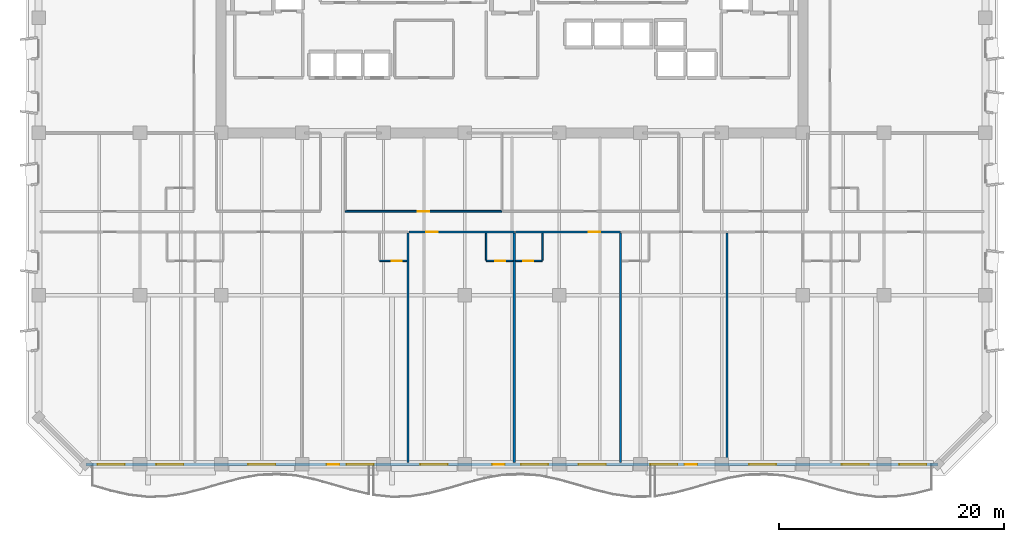
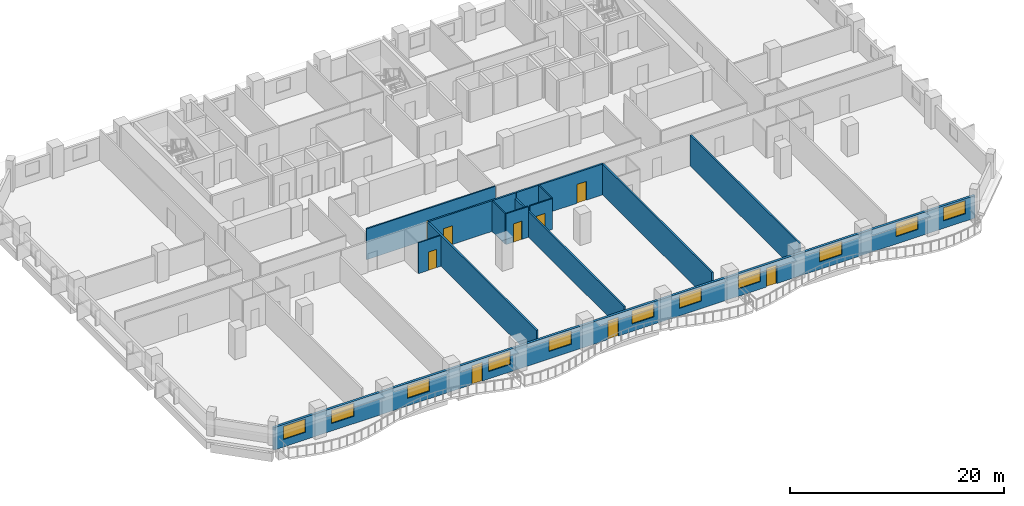
# One storey, part 5 of 14: 13 walls, 11 windows, 9 doors, 20 openings.
"""IFC4 building model written with IfcOpenShell, lengths in metres."""

from ifc_helpers import new_model, si_unit, direction, frame, frame_2d, origin, place, context, subcontext, project, spatial, rectangle, extrude, material, layer, layer_set, type_object, element, fill, save


model = new_model("IFC4")

# Units and contexts
model_context = context("Model", 3, precision=1e-05, world=origin(), true_north=direction((0.0, 1.0)))
body_context = subcontext(model_context, "Body", "Model", "MODEL_VIEW")
ifc_project = project(units=[si_unit("LENGTHUNIT", "METRE"), si_unit("AREAUNIT", "SQUARE_METRE"), si_unit("VOLUMEUNIT", "CUBIC_METRE"), si_unit("PLANEANGLEUNIT", "RADIAN"), si_unit("MASSUNIT", "GRAM", prefix="KILO")], contexts=[model_context])

# Site, building, storey
site_placement = place(None, origin())
site = spatial("IfcSite", under=ifc_project, at=site_placement, CompositionType="ELEMENT")
building_placement = place(site_placement, origin())
building = spatial("IfcBuilding", under=site, at=building_placement, Name="Kaelvorn Grand Hotel", CompositionType="ELEMENT")
storey_placement = place(building_placement, frame((0.0, 0.0, 89.300048828125)))
storey = spatial("IfcBuildingStorey", under=building, at=storey_placement, Name="L20", CompositionType="ELEMENT", Elevation=89.300048828125)

# Wall, openings, doors, windows
ifc_material_1 = material(Name="Concrete C40/50", Category="concrete")
ifc_layer_1 = layer(ifc_material_1, 0.260009765625)
ifc_layer_set_1 = layer_set([ifc_layer_1], Name="Concrete C40/50")
wall_type_1 = type_object("IfcWallType", Name="WL-EXT-260-C40", PredefinedType="SOLIDWALL", material=ifc_layer_set_1)
wall_1_placement = place(storey_placement, frame((4.199951171875, 0.0, 0.0), z_axis=(0.0, 0.0, 1.0), x_axis=(1.0, 0.0, 0.0)))
wall_1 = element("IfcWall", 1, at=wall_1_placement, inside=storey, type_object=wall_type_1, Name="L20 Exterior Architectural Concrete Wall 01", PredefinedType="SOLIDWALL", context=body_context, shape_type="SweptSolid", body=[
    extrude(rectangle(XDim=75.60009765625, YDim=0.260009765625, at=frame_2d((37.800048828125, 0.0))), origin(), (0.0, 0.0, 1.0), 2.56005859375),
])
opening_1_placement = place(wall_1_placement, frame((21.38330078125, 0.0, 0.0)))
opening_1 = element("IfcOpeningElement", 2, at=opening_1_placement, cuts=wall_1, Name="Opening DE2", PredefinedType="OPENING", context=body_context, shape_type="SweptSolid", body=[
    extrude(rectangle(XDim=1.10009765625, YDim=2.14990234375, at=frame_2d((0.550048828125, 1.074951171875))), frame((0.0, 0.14013671875, 0.0), z_axis=(0.0, -1.0, 0.0), x_axis=(1.0, 0.0, 0.0)), (0.0, 0.0, 1.0), 0.280029296875),
])
opening_2_placement = place(wall_1_placement, frame((36.050048828125, 0.0, 0.0)))
opening_2 = element("IfcOpeningElement", 3, at=opening_2_placement, cuts=wall_1, Name="Opening DE2", PredefinedType="OPENING", context=body_context, shape_type="SweptSolid", body=[
    extrude(rectangle(XDim=1.10009765625, YDim=2.14990234375, at=frame_2d((0.550048828125, 1.074951171875))), frame((0.0, 0.14013671875, 0.0), z_axis=(0.0, -1.0, 0.0), x_axis=(1.0, 0.0, 0.0)), (0.0, 0.0, 1.0), 0.280029296875),
])
opening_3_placement = place(wall_1_placement, frame((53.11669921875, 0.0, 0.0)))
opening_3 = element("IfcOpeningElement", 4, at=opening_3_placement, cuts=wall_1, Name="Opening DE2", PredefinedType="OPENING", context=body_context, shape_type="SweptSolid", body=[
    extrude(rectangle(XDim=1.10009765625, YDim=2.14990234375, at=frame_2d((0.550048828125, 1.074951171875))), frame((0.0, 0.14013671875, 0.0), z_axis=(0.0, -1.0, 0.0), x_axis=(1.0, 0.0, 0.0)), (0.0, 0.0, 1.0), 0.280029296875),
])
opening_4_placement = place(wall_1_placement, frame((1.034912109375, 0.0, 0.85009765625)))
opening_4 = element("IfcOpeningElement", 5, at=opening_4_placement, cuts=wall_1, Name="Opening W6", PredefinedType="OPENING", context=body_context, shape_type="SweptSolid", body=[
    extrude(rectangle(XDim=2.39990234375, YDim=1.5, at=frame_2d((1.199951171875, 0.75))), frame((0.0, 0.14013671875, 0.0), z_axis=(0.0, -1.0, 0.0), x_axis=(1.0, 0.0, 0.0)), (0.0, 0.0, 1.0), 0.280029296875),
])
opening_5_placement = place(wall_1_placement, frame((6.243896484375, 0.0, 0.85009765625)))
opening_5 = element("IfcOpeningElement", 6, at=opening_5_placement, cuts=wall_1, Name="Opening W6", PredefinedType="OPENING", context=body_context, shape_type="SweptSolid", body=[
    extrude(rectangle(XDim=2.39990234375, YDim=1.5, at=frame_2d((1.199951171875, 0.75))), frame((0.0, 0.14013671875, 0.0), z_axis=(0.0, -1.0, 0.0), x_axis=(1.0, 0.0, 0.0)), (0.0, 0.0, 1.0), 0.280029296875),
])
opening_6_placement = place(wall_1_placement, frame((14.39990234375, 0.0, 0.85009765625)))
opening_6 = element("IfcOpeningElement", 7, at=opening_6_placement, cuts=wall_1, Name="Opening W6", PredefinedType="OPENING", context=body_context, shape_type="SweptSolid", body=[
    extrude(rectangle(XDim=2.39990234375, YDim=1.5, at=frame_2d((1.199951171875, 0.75))), frame((0.0, 0.14013671875, 0.0), z_axis=(0.0, -1.0, 0.0), x_axis=(1.0, 0.0, 0.0)), (0.0, 0.0, 1.0), 0.280029296875),
])
opening_7_placement = place(wall_1_placement, frame((23.126708984375, 0.0, 0.85009765625)))
opening_7 = element("IfcOpeningElement", 8, at=opening_7_placement, cuts=wall_1, Name="Opening W6", PredefinedType="OPENING", context=body_context, shape_type="SweptSolid", body=[
    extrude(rectangle(XDim=2.39990234375, YDim=1.5, at=frame_2d((1.199951171875, 0.75))), frame((0.0, 0.14013671875, 0.0), z_axis=(0.0, -1.0, 0.0), x_axis=(1.0, 0.0, 0.0)), (0.0, 0.0, 1.0), 0.280029296875),
])
opening_8_placement = place(wall_1_placement, frame((29.681396484375, 0.0, 0.85009765625)))
opening_8 = element("IfcOpeningElement", 9, at=opening_8_placement, cuts=wall_1, Name="Opening W6", PredefinedType="OPENING", context=body_context, shape_type="SweptSolid", body=[
    extrude(rectangle(XDim=2.39990234375, YDim=1.5, at=frame_2d((1.199951171875, 0.75))), frame((0.0, 0.14013671875, 0.0), z_axis=(0.0, -1.0, 0.0), x_axis=(1.0, 0.0, 0.0)), (0.0, 0.0, 1.0), 0.280029296875),
])
opening_9_placement = place(wall_1_placement, frame((38.6005859375, 0.0, 0.85009765625)))
opening_9 = element("IfcOpeningElement", 10, at=opening_9_placement, cuts=wall_1, Name="Opening W6", PredefinedType="OPENING", context=body_context, shape_type="SweptSolid", body=[
    extrude(rectangle(XDim=2.39990234375, YDim=1.5, at=frame_2d((1.199951171875, 0.75))), frame((0.0, 0.14013671875, 0.0), z_axis=(0.0, -1.0, 0.0), x_axis=(1.0, 0.0, 0.0)), (0.0, 0.0, 1.0), 0.280029296875),
])
opening_10_placement = place(wall_1_placement, frame((43.719482421875, 0.0, 0.85009765625)))
opening_10 = element("IfcOpeningElement", 11, at=opening_10_placement, cuts=wall_1, Name="Opening W6", PredefinedType="OPENING", context=body_context, shape_type="SweptSolid", body=[
    extrude(rectangle(XDim=2.39990234375, YDim=1.5, at=frame_2d((1.199951171875, 0.75))), frame((0.0, 0.14013671875, 0.0), z_axis=(0.0, -1.0, 0.0), x_axis=(1.0, 0.0, 0.0)), (0.0, 0.0, 1.0), 0.280029296875),
])
opening_11_placement = place(wall_1_placement, frame((50.0732421875, 0.0, 0.85009765625)))
opening_11 = element("IfcOpeningElement", 12, at=opening_11_placement, cuts=wall_1, Name="Opening W6", PredefinedType="OPENING", context=body_context, shape_type="SweptSolid", body=[
    extrude(rectangle(XDim=2.39990234375, YDim=1.5, at=frame_2d((1.199951171875, 0.75))), frame((0.0, 0.14013671875, 0.0), z_axis=(0.0, -1.0, 0.0), x_axis=(1.0, 0.0, 0.0)), (0.0, 0.0, 1.0), 0.280029296875),
])
opening_12_placement = place(wall_1_placement, frame((58.837890625, 0.0, 0.85009765625)))
opening_12 = element("IfcOpeningElement", 13, at=opening_12_placement, cuts=wall_1, Name="Opening W6", PredefinedType="OPENING", context=body_context, shape_type="SweptSolid", body=[
    extrude(rectangle(XDim=2.39990234375, YDim=1.5, at=frame_2d((1.199951171875, 0.75))), frame((0.0, 0.14013671875, 0.0), z_axis=(0.0, -1.0, 0.0), x_axis=(1.0, 0.0, 0.0)), (0.0, 0.0, 1.0), 0.280029296875),
])
opening_13_placement = place(wall_1_placement, frame((67.056396484375, 0.0, 0.85009765625)))
opening_13 = element("IfcOpeningElement", 14, at=opening_13_placement, cuts=wall_1, Name="Opening W6", PredefinedType="OPENING", context=body_context, shape_type="SweptSolid", body=[
    extrude(rectangle(XDim=2.39990234375, YDim=1.5, at=frame_2d((1.199951171875, 0.75))), frame((0.0, 0.14013671875, 0.0), z_axis=(0.0, -1.0, 0.0), x_axis=(1.0, 0.0, 0.0)), (0.0, 0.0, 1.0), 0.280029296875),
])
opening_14_placement = place(wall_1_placement, frame((72.1650390625, 0.0, 0.85009765625)))
opening_14 = element("IfcOpeningElement", 15, at=opening_14_placement, cuts=wall_1, Name="Opening W6", PredefinedType="OPENING", context=body_context, shape_type="SweptSolid", body=[
    extrude(rectangle(XDim=2.39990234375, YDim=1.5, at=frame_2d((1.199951171875, 0.75))), frame((0.0, 0.14013671875, 0.0), z_axis=(0.0, -1.0, 0.0), x_axis=(1.0, 0.0, 0.0)), (0.0, 0.0, 1.0), 0.280029296875),
])
ifc_material_2 = material(Name="Anodised Aluminium", Category="aluminium")
door_type_1 = type_object("IfcDoorType", Name="DR-EXT-BALC-1100x2150", OperationType="NOTDEFINED", PredefinedType="DOOR", material=ifc_material_2)
door_1_placement = place(opening_1_placement, origin())
door_1 = element("IfcDoor", 16, at=door_1_placement, inside=storey, type_object=door_type_1, Name="L20 Scalloped Balcony Glazed Door DE2-1", OperationType="SINGLE_SWING_RIGHT", OverallHeight=2.14990234375, OverallWidth=1.10009765625, PredefinedType="DOOR", context=body_context, shape_type="SweptSolid", body=[
    extrude(rectangle(XDim=1.10009765625, YDim=2.14990234375, at=frame_2d((0.550048828125, 1.074951171875))), frame((0.0, 0.02490234375, 0.0), z_axis=(0.0, -1.0, 0.0), x_axis=(1.0, 0.0, 0.0)), (0.0, 0.0, 1.0), 0.050048828125),
])
fill(opening_1, door_1)
door_2_placement = place(opening_2_placement, origin())
door_2 = element("IfcDoor", 17, at=door_2_placement, inside=storey, type_object=door_type_1, Name="L20 Scalloped Balcony Glazed Door DE2-2", OperationType="SINGLE_SWING_LEFT", OverallHeight=2.14990234375, OverallWidth=1.10009765625, PredefinedType="DOOR", context=body_context, shape_type="SweptSolid", body=[
    extrude(rectangle(XDim=1.10009765625, YDim=2.14990234375, at=frame_2d((0.550048828125, 1.074951171875))), frame((0.0, 0.02490234375, 0.0), z_axis=(0.0, -1.0, 0.0), x_axis=(1.0, 0.0, 0.0)), (0.0, 0.0, 1.0), 0.050048828125),
])
fill(opening_2, door_2)
door_3_placement = place(opening_3_placement, origin())
door_3 = element("IfcDoor", 18, at=door_3_placement, inside=storey, type_object=door_type_1, Name="L20 Scalloped Balcony Glazed Door DE2-3", OperationType="SINGLE_SWING_RIGHT", OverallHeight=2.14990234375, OverallWidth=1.10009765625, PredefinedType="DOOR", context=body_context, shape_type="SweptSolid", body=[
    extrude(rectangle(XDim=1.10009765625, YDim=2.14990234375, at=frame_2d((0.550048828125, 1.074951171875))), frame((0.0, 0.02490234375, 0.0), z_axis=(0.0, -1.0, 0.0), x_axis=(1.0, 0.0, 0.0)), (0.0, 0.0, 1.0), 0.050048828125),
])
fill(opening_3, door_3)
ifc_material_3 = material(Name="Laminated Low-E Glass", Category="glass")
window_type = type_object("IfcWindowType", Name="WIN-NTH-2400x1500", PartitioningType="SINGLE_PANEL", PredefinedType="WINDOW", material=ifc_material_3)
window_1_placement = place(opening_4_placement, origin())
window_1 = element("IfcWindow", 19, at=window_1_placement, inside=storey, type_object=window_type, Name="L20 South Guestroom Ribbon Window SR01", OverallHeight=1.5, OverallWidth=2.39990234375, PartitioningType="SINGLE_PANEL", PredefinedType="WINDOW", context=body_context, shape_type="SweptSolid", body=[
    extrude(rectangle(XDim=2.39990234375, YDim=1.5, at=frame_2d((1.199951171875, 0.75))), frame((0.0, 0.030029296875, 0.0), z_axis=(0.0, -1.0, 0.0), x_axis=(1.0, 0.0, 0.0)), (0.0, 0.0, 1.0), 0.06005859375),
])
fill(opening_4, window_1)
window_2_placement = place(opening_5_placement, origin())
window_2 = element("IfcWindow", 20, at=window_2_placement, inside=storey, type_object=window_type, Name="L20 South Guestroom Ribbon Window SR02", OverallHeight=1.5, OverallWidth=2.39990234375, PartitioningType="SINGLE_PANEL", PredefinedType="WINDOW", context=body_context, shape_type="SweptSolid", body=[
    extrude(rectangle(XDim=2.39990234375, YDim=1.5, at=frame_2d((1.199951171875, 0.75))), frame((0.0, 0.030029296875, 0.0), z_axis=(0.0, -1.0, 0.0), x_axis=(1.0, 0.0, 0.0)), (0.0, 0.0, 1.0), 0.06005859375),
])
fill(opening_5, window_2)
window_3_placement = place(opening_6_placement, origin())
window_3 = element("IfcWindow", 21, at=window_3_placement, inside=storey, type_object=window_type, Name="L20 South Guestroom Ribbon Window SR03", OverallHeight=1.5, OverallWidth=2.39990234375, PartitioningType="SINGLE_PANEL", PredefinedType="WINDOW", context=body_context, shape_type="SweptSolid", body=[
    extrude(rectangle(XDim=2.39990234375, YDim=1.5, at=frame_2d((1.199951171875, 0.75))), frame((0.0, 0.030029296875, 0.0), z_axis=(0.0, -1.0, 0.0), x_axis=(1.0, 0.0, 0.0)), (0.0, 0.0, 1.0), 0.06005859375),
])
fill(opening_6, window_3)
window_4_placement = place(opening_7_placement, origin())
window_4 = element("IfcWindow", 22, at=window_4_placement, inside=storey, type_object=window_type, Name="L20 South Guestroom Ribbon Window SR04", OverallHeight=1.5, OverallWidth=2.39990234375, PartitioningType="SINGLE_PANEL", PredefinedType="WINDOW", context=body_context, shape_type="SweptSolid", body=[
    extrude(rectangle(XDim=2.39990234375, YDim=1.5, at=frame_2d((1.199951171875, 0.75))), frame((0.0, 0.030029296875, 0.0), z_axis=(0.0, -1.0, 0.0), x_axis=(1.0, 0.0, 0.0)), (0.0, 0.0, 1.0), 0.06005859375),
])
fill(opening_7, window_4)
window_5_placement = place(opening_8_placement, origin())
window_5 = element("IfcWindow", 23, at=window_5_placement, inside=storey, type_object=window_type, Name="L20 South Guestroom Ribbon Window SR05", OverallHeight=1.5, OverallWidth=2.39990234375, PartitioningType="SINGLE_PANEL", PredefinedType="WINDOW", context=body_context, shape_type="SweptSolid", body=[
    extrude(rectangle(XDim=2.39990234375, YDim=1.5, at=frame_2d((1.199951171875, 0.75))), frame((0.0, 0.030029296875, 0.0), z_axis=(0.0, -1.0, 0.0), x_axis=(1.0, 0.0, 0.0)), (0.0, 0.0, 1.0), 0.06005859375),
])
fill(opening_8, window_5)
window_6_placement = place(opening_9_placement, origin())
window_6 = element("IfcWindow", 24, at=window_6_placement, inside=storey, type_object=window_type, Name="L20 South Guestroom Ribbon Window SR06", OverallHeight=1.5, OverallWidth=2.39990234375, PartitioningType="SINGLE_PANEL", PredefinedType="WINDOW", context=body_context, shape_type="SweptSolid", body=[
    extrude(rectangle(XDim=2.39990234375, YDim=1.5, at=frame_2d((1.199951171875, 0.75))), frame((0.0, 0.030029296875, 0.0), z_axis=(0.0, -1.0, 0.0), x_axis=(1.0, 0.0, 0.0)), (0.0, 0.0, 1.0), 0.06005859375),
])
fill(opening_9, window_6)
window_7_placement = place(opening_10_placement, origin())
window_7 = element("IfcWindow", 25, at=window_7_placement, inside=storey, type_object=window_type, Name="L20 South Guestroom Ribbon Window SR07", OverallHeight=1.5, OverallWidth=2.39990234375, PartitioningType="SINGLE_PANEL", PredefinedType="WINDOW", context=body_context, shape_type="SweptSolid", body=[
    extrude(rectangle(XDim=2.39990234375, YDim=1.5, at=frame_2d((1.199951171875, 0.75))), frame((0.0, 0.030029296875, 0.0), z_axis=(0.0, -1.0, 0.0), x_axis=(1.0, 0.0, 0.0)), (0.0, 0.0, 1.0), 0.06005859375),
])
fill(opening_10, window_7)
window_8_placement = place(opening_11_placement, origin())
window_8 = element("IfcWindow", 26, at=window_8_placement, inside=storey, type_object=window_type, Name="L20 South Guestroom Ribbon Window SR08", OverallHeight=1.5, OverallWidth=2.39990234375, PartitioningType="SINGLE_PANEL", PredefinedType="WINDOW", context=body_context, shape_type="SweptSolid", body=[
    extrude(rectangle(XDim=2.39990234375, YDim=1.5, at=frame_2d((1.199951171875, 0.75))), frame((0.0, 0.030029296875, 0.0), z_axis=(0.0, -1.0, 0.0), x_axis=(1.0, 0.0, 0.0)), (0.0, 0.0, 1.0), 0.06005859375),
])
fill(opening_11, window_8)
window_9_placement = place(opening_12_placement, origin())
window_9 = element("IfcWindow", 27, at=window_9_placement, inside=storey, type_object=window_type, Name="L20 South Guestroom Ribbon Window SR09", OverallHeight=1.5, OverallWidth=2.39990234375, PartitioningType="SINGLE_PANEL", PredefinedType="WINDOW", context=body_context, shape_type="SweptSolid", body=[
    extrude(rectangle(XDim=2.39990234375, YDim=1.5, at=frame_2d((1.199951171875, 0.75))), frame((0.0, 0.030029296875, 0.0), z_axis=(0.0, -1.0, 0.0), x_axis=(1.0, 0.0, 0.0)), (0.0, 0.0, 1.0), 0.06005859375),
])
fill(opening_12, window_9)
window_10_placement = place(opening_13_placement, origin())
window_10 = element("IfcWindow", 28, at=window_10_placement, inside=storey, type_object=window_type, Name="L20 South Guestroom Ribbon Window SR10", OverallHeight=1.5, OverallWidth=2.39990234375, PartitioningType="SINGLE_PANEL", PredefinedType="WINDOW", context=body_context, shape_type="SweptSolid", body=[
    extrude(rectangle(XDim=2.39990234375, YDim=1.5, at=frame_2d((1.199951171875, 0.75))), frame((0.0, 0.030029296875, 0.0), z_axis=(0.0, -1.0, 0.0), x_axis=(1.0, 0.0, 0.0)), (0.0, 0.0, 1.0), 0.06005859375),
])
fill(opening_13, window_10)
window_11_placement = place(opening_14_placement, origin())
window_11 = element("IfcWindow", 29, at=window_11_placement, inside=storey, type_object=window_type, Name="L20 South Guestroom Ribbon Window SR11", OverallHeight=1.5, OverallWidth=2.39990234375, PartitioningType="SINGLE_PANEL", PredefinedType="WINDOW", context=body_context, shape_type="SweptSolid", body=[
    extrude(rectangle(XDim=2.39990234375, YDim=1.5, at=frame_2d((1.199951171875, 0.75))), frame((0.0, 0.030029296875, 0.0), z_axis=(0.0, -1.0, 0.0), x_axis=(1.0, 0.0, 0.0)), (0.0, 0.0, 1.0), 0.06005859375),
])
fill(opening_14, window_11)

# Wall, opening, door
ifc_material_4 = material(Name="Moisture-Resistant Tile & Stud Board")
ifc_layer_2 = layer(ifc_material_4, 0.125)
ifc_layer_set_2 = layer_set([ifc_layer_2], Name="Moisture-Resistant Tile & Stud Board")
wall_type_2 = type_object("IfcWallType", Name="WL-PART-125-WET", PredefinedType="PARTITIONING", material=ifc_layer_set_2)
wall_2_placement = place(storey_placement, frame((30.26318359375, 18.050048828125, 0.0), z_axis=(0.0, 0.0, 1.0), x_axis=(1.0, 0.0, 0.0)))
wall_2 = element("IfcWall", 30, at=wall_2_placement, inside=storey, type_object=wall_type_2, Name="L20 En-suite Bathroom L20-03 S Partition", PredefinedType="PARTITIONING", context=body_context, shape_type="SweptSolid", body=[
    extrude(rectangle(XDim=2.405029296875, YDim=0.125, at=frame_2d((1.20263671875, 0.0))), origin(), (0.0, 0.0, 1.0), 3.510009765625),
])
opening_15_placement = place(wall_2_placement, frame((1.050048828125, 0.0, 0.0)))
opening_15 = element("IfcOpeningElement", 31, at=opening_15_placement, cuts=wall_2, Name="Opening DI4", PredefinedType="OPENING", context=body_context, shape_type="SweptSolid", body=[
    extrude(rectangle(XDim=0.89990234375, YDim=2.10009765625, at=frame_2d((0.449951171875, 1.050048828125))), frame((0.0, 0.072509765625, 0.0), z_axis=(0.0, -1.0, 0.0), x_axis=(1.0, 0.0, 0.0)), (0.0, 0.0, 1.0), 0.14501953125),
])
ifc_material_5 = material(Name="Timber Veneer Leaf", Category="wood")
door_type_2 = type_object("IfcDoorType", Name="DR-INT-BATH-900x2100", OperationType="NOTDEFINED", PredefinedType="DOOR", material=ifc_material_5)
door_4_placement = place(opening_15_placement, origin())
door_4 = element("IfcDoor", 32, at=door_4_placement, inside=storey, type_object=door_type_2, Name="L20 En-suite Bathroom L20-03 Door", OperationType="SINGLE_SWING_RIGHT", OverallHeight=2.10009765625, OverallWidth=0.89990234375, PredefinedType="DOOR", context=body_context, shape_type="SweptSolid", body=[
    extrude(rectangle(XDim=0.89990234375, YDim=2.10009765625, at=frame_2d((0.449951171875, 1.050048828125))), frame((0.0, 0.02490234375, 0.0), z_axis=(0.0, -1.0, 0.0), x_axis=(1.0, 0.0, 0.0)), (0.0, 0.0, 1.0), 0.050048828125),
])
fill(opening_15, door_4)

wall_3_placement = place(storey_placement, frame((39.70068359375, 18.050048828125, 0.0), z_axis=(0.0, 0.0, 1.0), x_axis=(1.0, 0.0, 0.0)))
wall_3 = element("IfcWall", 33, at=wall_3_placement, inside=storey, type_object=wall_type_2, Name="L20 En-suite Bathroom L20-04 S Partition", PredefinedType="PARTITIONING", context=body_context, shape_type="SweptSolid", body=[
    extrude(rectangle(XDim=2.405029296875, YDim=0.125, at=frame_2d((1.20263671875, 0.0))), origin(), (0.0, 0.0, 1.0), 3.510009765625),
])
opening_16_placement = place(wall_3_placement, frame((0.800048828125, 0.0, 0.0)))
opening_16 = element("IfcOpeningElement", 34, at=opening_16_placement, cuts=wall_3, Name="Opening DI4", PredefinedType="OPENING", context=body_context, shape_type="SweptSolid", body=[
    extrude(rectangle(XDim=0.89990234375, YDim=2.10009765625, at=frame_2d((0.449951171875, 1.050048828125))), frame((0.0, 0.072509765625, 0.0), z_axis=(0.0, -1.0, 0.0), x_axis=(1.0, 0.0, 0.0)), (0.0, 0.0, 1.0), 0.14501953125),
])
door_5_placement = place(opening_16_placement, origin())
door_5 = element("IfcDoor", 35, at=door_5_placement, inside=storey, type_object=door_type_2, Name="L20 En-suite Bathroom L20-04 Door", OperationType="SINGLE_SWING_RIGHT", OverallHeight=2.10009765625, OverallWidth=0.89990234375, PredefinedType="DOOR", context=body_context, shape_type="SweptSolid", body=[
    extrude(rectangle(XDim=0.89990234375, YDim=2.10009765625, at=frame_2d((0.449951171875, 1.050048828125))), frame((0.0, 0.02490234375, 0.0), z_axis=(0.0, -1.0, 0.0), x_axis=(1.0, 0.0, 0.0)), (0.0, 0.0, 1.0), 0.050048828125),
])
fill(opening_16, door_5)

# Wall
wall_4_placement = place(storey_placement, frame((39.70068359375, 18.117431640625, 0.0), z_axis=(0.0, 0.0, 1.0), x_axis=(0.0, 1.0, 0.0)))
element("IfcWall", 36, at=wall_4_placement, inside=storey, type_object=wall_type_2, Name="L20 En-suite Bathroom L20-04 W Partition", PredefinedType="PARTITIONING", context=body_context, shape_type="SweptSolid", body=[
    extrude(rectangle(XDim=2.387451171875, YDim=0.125, at=frame_2d((1.19384765625, 0.0))), origin(), (0.0, 0.0, 1.0), 3.510009765625),
])

# Wall, opening, door
wall_5_placement = place(storey_placement, frame((42.2958984375, 18.050048828125, 0.0), z_axis=(0.0, 0.0, 1.0), x_axis=(1.0, 0.0, 0.0)))
wall_5 = element("IfcWall", 37, at=wall_5_placement, inside=storey, type_object=wall_type_2, Name="L20 En-suite Bathroom L20-05 S Partition", PredefinedType="PARTITIONING", context=body_context, shape_type="SweptSolid", body=[
    extrude(rectangle(XDim=2.40478515625, YDim=0.125, at=frame_2d((1.202392578125, 0.0))), origin(), (0.0, 0.0, 1.0), 3.510009765625),
])
opening_17_placement = place(wall_5_placement, frame((0.705078125, 0.0, 0.0)))
opening_17 = element("IfcOpeningElement", 38, at=opening_17_placement, cuts=wall_5, Name="Opening DI4", PredefinedType="OPENING", context=body_context, shape_type="SweptSolid", body=[
    extrude(rectangle(XDim=0.89990234375, YDim=2.10009765625, at=frame_2d((0.449951171875, 1.050048828125))), frame((0.0, 0.072509765625, 0.0), z_axis=(0.0, -1.0, 0.0), x_axis=(1.0, 0.0, 0.0)), (0.0, 0.0, 1.0), 0.14501953125),
])
door_6_placement = place(opening_17_placement, origin())
door_6 = element("IfcDoor", 39, at=door_6_placement, inside=storey, type_object=door_type_2, Name="L20 En-suite Bathroom L20-05 Door", OperationType="SINGLE_SWING_RIGHT", OverallHeight=2.10009765625, OverallWidth=0.89990234375, PredefinedType="DOOR", context=body_context, shape_type="SweptSolid", body=[
    extrude(rectangle(XDim=0.89990234375, YDim=2.10009765625, at=frame_2d((0.449951171875, 1.050048828125))), frame((0.0, 0.02490234375, 0.0), z_axis=(0.0, -1.0, 0.0), x_axis=(1.0, 0.0, 0.0)), (0.0, 0.0, 1.0), 0.050048828125),
])
fill(opening_17, door_6)

# Wall
wall_6_placement = place(storey_placement, frame((44.70068359375, 18.117431640625, 0.0), z_axis=(0.0, 0.0, 1.0), x_axis=(0.0, 1.0, 0.0)))
element("IfcWall", 40, at=wall_6_placement, inside=storey, type_object=wall_type_2, Name="L20 En-suite Bathroom L20-05 E Partition", PredefinedType="PARTITIONING", context=body_context, shape_type="SweptSolid", body=[
    extrude(rectangle(XDim=2.387451171875, YDim=0.125, at=frame_2d((1.19384765625, 0.0))), origin(), (0.0, 0.0, 1.0), 3.510009765625),
])

# Wall, opening, door
ifc_material_6 = material(Name="Acoustic Gypsum & Stud Partition")
ifc_layer_3 = layer(ifc_material_6, 0.14990234375)
ifc_layer_set_3 = layer_set([ifc_layer_3], Name="Acoustic Gypsum & Stud Partition")
wall_type_3 = type_object("IfcWallType", Name="WL-PART-150-EI60", PredefinedType="PARTITIONING", material=ifc_layer_set_3)
wall_7_placement = place(storey_placement, frame((27.199951171875, 22.449951171875, 0.0), z_axis=(0.0, 0.0, 1.0), x_axis=(1.0, 0.0, 0.0)))
wall_7 = element("IfcWall", 41, at=wall_7_placement, inside=storey, type_object=wall_type_3, Name="L20 Pastry & Tea Kitchen S Partition", PredefinedType="PARTITIONING", context=body_context, shape_type="SweptSolid", body=[
    extrude(rectangle(XDim=13.900146484375, YDim=0.14990234375, at=frame_2d((6.9501953125, 0.0))), origin(), (0.0, 0.0, 1.0), 3.510009765625),
])
opening_18_placement = place(wall_7_placement, frame((6.449951171875, 0.0, 0.0)))
opening_18 = element("IfcOpeningElement", 42, at=opening_18_placement, cuts=wall_7, Name="Opening DI3", PredefinedType="OPENING", context=body_context, shape_type="SweptSolid", body=[
    extrude(rectangle(XDim=1.0, YDim=2.14990234375, at=frame_2d((0.5, 1.074951171875))), frame((0.0, 0.0849609375, 0.0), z_axis=(0.0, -1.0, 0.0), x_axis=(1.0, 0.0, 0.0)), (0.0, 0.0, 1.0), 0.169921875),
])
ifc_material_7 = material(Name="Timber Veneer Fire Leaf", Category="wood")
door_type_3 = type_object("IfcDoorType", Name="DR-INT-GUEST-1000x2150", OperationType="NOTDEFINED", PredefinedType="DOOR", material=ifc_material_7)
door_7_placement = place(opening_18_placement, origin())
door_7 = element("IfcDoor", 43, at=door_7_placement, inside=storey, type_object=door_type_3, Name="L20 Pastry & Tea Kitchen Door", OperationType="SINGLE_SWING_RIGHT", OverallHeight=2.14990234375, OverallWidth=1.0, PredefinedType="DOOR", context=body_context, shape_type="SweptSolid", body=[
    extrude(rectangle(XDim=1.0, YDim=2.14990234375, at=frame_2d((0.5, 1.074951171875))), frame((0.0, 0.02490234375, 0.0), z_axis=(0.0, -1.0, 0.0), x_axis=(1.0, 0.0, 0.0)), (0.0, 0.0, 1.0), 0.050048828125),
])
fill(opening_18, door_7)

# Wall
ifc_layer_4 = layer(ifc_material_6, 0.179931640625)
ifc_layer_set_4 = layer_set([ifc_layer_4], Name="Acoustic Gypsum & Stud Partition")
wall_type_4 = type_object("IfcWallType", Name="WL-PART-180-EI60", PredefinedType="PARTITIONING", material=ifc_layer_set_4)
wall_8_placement = place(storey_placement, frame((32.76318359375, 0.14990234375, 0.0), z_axis=(0.0, 0.0, 1.0), x_axis=(0.0, 1.0, 0.0)))
element("IfcWall", 44, at=wall_8_placement, inside=storey, type_object=wall_type_4, Name="L20 Deluxe Panoramic Suite L20-03 E Partition", PredefinedType="PARTITIONING", context=body_context, shape_type="SweptSolid", body=[
    extrude(rectangle(XDim=20.35498046875, YDim=0.179931640625, at=frame_2d((10.177490234375, 0.0))), origin(), (0.0, 0.0, 1.0), 3.510009765625),
])

# Wall, opening, door
wall_9_placement = place(storey_placement, frame((32.858154296875, 20.60009765625, 0.0), z_axis=(0.0, 0.0, 1.0), x_axis=(1.0, 0.0, 0.0)))
wall_9 = element("IfcWall", 45, at=wall_9_placement, inside=storey, type_object=wall_type_4, Name="L20 Deluxe Panoramic Suite L20-04 N Partition", PredefinedType="PARTITIONING", context=body_context, shape_type="SweptSolid", body=[
    extrude(rectangle(XDim=9.342529296875, YDim=0.179931640625, at=frame_2d((4.67138671875, 0.0))), origin(), (0.0, 0.0, 1.0), 3.510009765625),
])
opening_19_placement = place(wall_9_placement, frame((1.533447265625, 0.0, 0.0)))
opening_19 = element("IfcOpeningElement", 46, at=opening_19_placement, cuts=wall_9, Name="Opening DI3", PredefinedType="OPENING", context=body_context, shape_type="SweptSolid", body=[
    extrude(rectangle(XDim=1.0, YDim=2.14990234375, at=frame_2d((0.5, 1.074951171875))), frame((0.0, 0.10009765625, 0.0), z_axis=(0.0, -1.0, 0.0), x_axis=(1.0, 0.0, 0.0)), (0.0, 0.0, 1.0), 0.199951171875),
])
door_8_placement = place(opening_19_placement, origin())
door_8 = element("IfcDoor", 47, at=door_8_placement, inside=storey, type_object=door_type_3, Name="L20 Deluxe Panoramic Suite L20-04 Door", OperationType="SINGLE_SWING_LEFT", OverallHeight=2.14990234375, OverallWidth=1.0, PredefinedType="DOOR", context=body_context, shape_type="SweptSolid", body=[
    extrude(rectangle(XDim=1.0, YDim=2.14990234375, at=frame_2d((0.5, 1.074951171875))), frame((0.0, 0.02490234375, 0.0), z_axis=(0.0, -1.0, 0.0), x_axis=(1.0, 0.0, 0.0)), (0.0, 0.0, 1.0), 0.050048828125),
])
fill(opening_19, door_8)

# Wall
wall_10_placement = place(storey_placement, frame((42.20068359375, 0.14990234375, 0.0), z_axis=(0.0, 0.0, 1.0), x_axis=(0.0, 1.0, 0.0)))
element("IfcWall", 48, at=wall_10_placement, inside=storey, type_object=wall_type_4, Name="L20 Deluxe Panoramic Suite L20-04 E Partition", PredefinedType="PARTITIONING", context=body_context, shape_type="SweptSolid", body=[
    extrude(rectangle(XDim=20.35498046875, YDim=0.179931640625, at=frame_2d((10.177490234375, 0.0))), origin(), (0.0, 0.0, 1.0), 2.897705078125),
])

# Wall, opening, door
wall_11_placement = place(storey_placement, frame((42.2958984375, 20.60009765625, 0.0), z_axis=(0.0, 0.0, 1.0), x_axis=(1.0, 0.0, 0.0)))
wall_11 = element("IfcWall", 49, at=wall_11_placement, inside=storey, type_object=wall_type_4, Name="L20 Deluxe Panoramic Suite L20-05 N Partition", PredefinedType="PARTITIONING", context=body_context, shape_type="SweptSolid", body=[
    extrude(rectangle(XDim=9.342529296875, YDim=0.179931640625, at=frame_2d((4.67138671875, 0.0))), origin(), (0.0, 0.0, 1.0), 3.510009765625),
])
opening_20_placement = place(wall_11_placement, frame((6.513427734375, 0.0, 0.0)))
opening_20 = element("IfcOpeningElement", 50, at=opening_20_placement, cuts=wall_11, Name="Opening DI3", PredefinedType="OPENING", context=body_context, shape_type="SweptSolid", body=[
    extrude(rectangle(XDim=1.0, YDim=2.14990234375, at=frame_2d((0.5, 1.074951171875))), frame((0.0, 0.10009765625, 0.0), z_axis=(0.0, -1.0, 0.0), x_axis=(1.0, 0.0, 0.0)), (0.0, 0.0, 1.0), 0.199951171875),
])
door_9_placement = place(opening_20_placement, origin())
door_9 = element("IfcDoor", 51, at=door_9_placement, inside=storey, type_object=door_type_3, Name="L20 Deluxe Panoramic Suite L20-05 Door", OperationType="SINGLE_SWING_LEFT", OverallHeight=2.14990234375, OverallWidth=1.0, PredefinedType="DOOR", context=body_context, shape_type="SweptSolid", body=[
    extrude(rectangle(XDim=1.0, YDim=2.14990234375, at=frame_2d((0.5, 1.074951171875))), frame((0.0, 0.02490234375, 0.0), z_axis=(0.0, -1.0, 0.0), x_axis=(1.0, 0.0, 0.0)), (0.0, 0.0, 1.0), 0.050048828125),
])
fill(opening_20, door_9)

# Walls
for number, where, z_axis, x_axis, name in (
    (52, (51.638427734375, 0.14990234375, 0.0), (0.0, 0.0, 1.0), (0.0, 1.0, 0.0), "L20 Deluxe Panoramic Suite L20-05 E Partition"),
    (53, (61.076171875, 0.14990234375, 0.0), (0.0, 0.0, 1.0), (0.0, 1.0, 0.0), "L20 Deluxe Panoramic Suite L20-06 E Partition"),
):
    element("IfcWall", number, at=place(storey_placement, frame(where, z_axis=z_axis, x_axis=x_axis)), inside=storey, type_object=wall_type_4, Name=name, PredefinedType="PARTITIONING", context=body_context, shape_type="SweptSolid", body=[
        extrude(rectangle(XDim=20.35498046875, YDim=0.179931640625, at=frame_2d((10.177490234375, 0.0))), origin(), (0.0, 0.0, 1.0), 3.510009765625),
    ])

save(model, "model.ifc")
